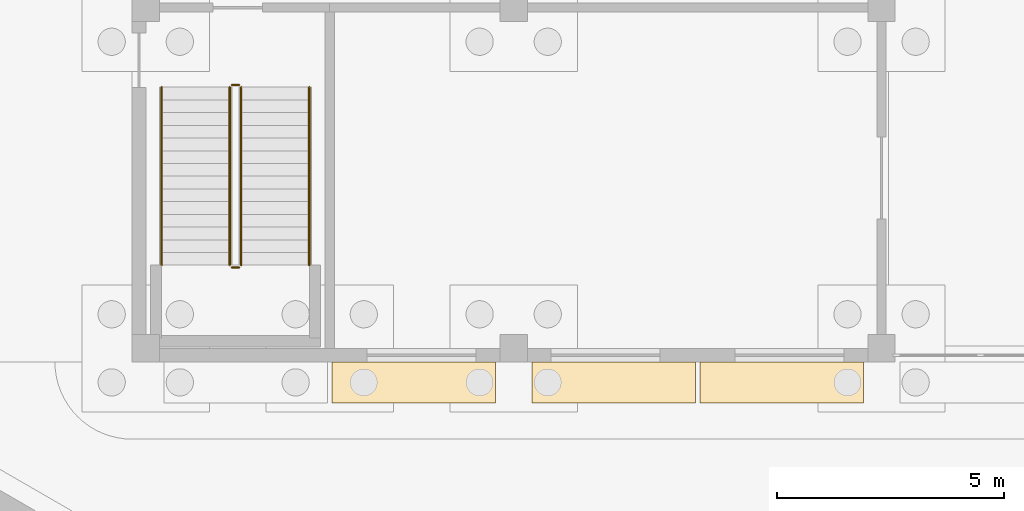
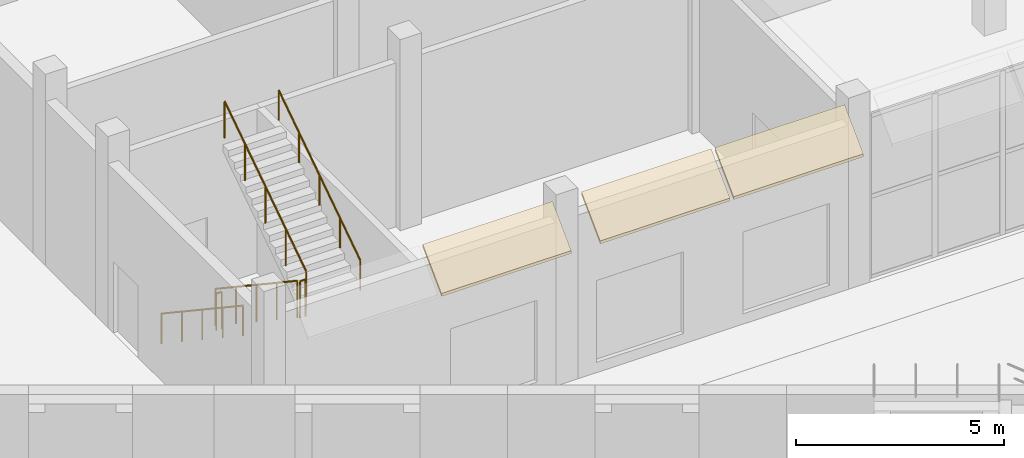
# One storey, part 36 of 44: 6 railings, 3 coverings.
"""IFC4 building model written with IfcOpenShell, lengths in metres."""

from ifc_helpers import new_model, si_unit, direction, frame, origin, origin_2d, place, context, subcontext, project, spatial, polyline, circle, outline, extrude, material, layer, layer_set, type_object, element, save


model = new_model("IFC4")

# Units and contexts
model_context = context("Model", 3, precision=1e-05, world=origin(), true_north=direction((0.0, 1.0)))
body_context = subcontext(model_context, "Body", "Model", "MODEL_VIEW")
ifc_project = project(units=[si_unit("LENGTHUNIT", "METRE"), si_unit("AREAUNIT", "SQUARE_METRE"), si_unit("VOLUMEUNIT", "CUBIC_METRE"), si_unit("PLANEANGLEUNIT", "RADIAN"), si_unit("MASSUNIT", "GRAM", prefix="KILO")], contexts=[model_context])

# Site, building, storey
site_placement = place(None, origin())
site = spatial("IfcSite", under=ifc_project, at=site_placement, CompositionType="ELEMENT")
building_placement = place(site_placement, origin())
building = spatial("IfcBuilding", under=site, at=building_placement, Name="Frailejon Research Tower", CompositionType="ELEMENT")
storey_placement = place(building_placement, origin())
storey = spatial("IfcBuildingStorey", under=building, at=storey_placement, Name="L00", CompositionType="ELEMENT", Elevation=0.0)

# Railings
ifc_material_1 = material(Name="Galvanised steel balustrade", Category="steel")
railing_type_1 = type_object("IfcRailingType", Name="HC stair guard 1100", PredefinedType="GUARDRAIL", material=ifc_material_1)
railing_1_placement = place(storey_placement, frame((46.35009765625, -14.5, 0.186767578125)))
element("IfcRailing", 1, at=railing_1_placement, inside=storey, type_object=railing_type_1, Name="L00 HS-A stair guard 1", PredefinedType="GUARDRAIL", context=body_context, shape_type="SweptSolid", body=[
    extrude(circle(Radius=0.02392578125, at=origin_2d()), frame((0.0, 0.0, 1.076171875), z_axis=(0.0, -0.832050294338, 0.554700196225), x_axis=(1.0, 0.0, 0.0)), (0.0, 0.0, 1.0), 4.711181640625),
    extrude(circle(Radius=0.02099609375, at=origin_2d()), origin(), (0.0, 0.0, 1.0), 1.052001953125),
    extrude(circle(Radius=0.02099609375, at=origin_2d()), frame((0.0, -0.97998046875, 0.6533203125)), (0.0, 0.0, 1.0), 1.052001953125),
    extrude(circle(Radius=0.02099609375, at=origin_2d()), frame((0.0, -1.9599609375, 1.306640625)), (0.0, 0.0, 1.0), 1.052001953125),
    extrude(circle(Radius=0.02099609375, at=origin_2d()), frame((0.0, -2.93994140625, 1.9599609375)), (0.0, 0.0, 1.0), 1.052001953125),
    extrude(circle(Radius=0.02099609375, at=origin_2d()), frame((0.0, -3.919921875, 2.61328125)), (0.0, 0.0, 1.0), 1.052001953125),
])
railing_2_placement = place(storey_placement, frame((46.39990234375, -18.469970703125, 2.800048828125)))
element("IfcRailing", 2, at=railing_2_placement, inside=storey, type_object=railing_type_1, Name="L00 HS-A stair guard 2", PredefinedType="GUARDRAIL", context=body_context, shape_type="SweptSolid", body=[
    extrude(circle(Radius=0.02392578125, at=origin_2d()), frame((0.0, 0.0, 1.076171875), z_axis=(1.0, 0.0, 0.0), x_axis=(0.0, 1.0, 0.0)), (0.0, 0.0, 1.0), 0.150146484375),
    extrude(circle(Radius=0.02099609375, at=origin_2d()), origin(), (0.0, 0.0, 1.0), 1.052001953125),
    extrude(circle(Radius=0.02099609375, at=origin_2d()), frame((0.150146484375, 0.0, 0.0)), (0.0, 0.0, 1.0), 1.052001953125),
])
railing_3_placement = place(storey_placement, frame((46.60009765625, -18.419921875, 2.986572265625)))
element("IfcRailing", 3, at=railing_3_placement, inside=storey, type_object=railing_type_1, Name="L00 HS-A stair guard 3", PredefinedType="GUARDRAIL", context=body_context, shape_type="SweptSolid", body=[
    extrude(circle(Radius=0.02392578125, at=origin_2d()), frame((0.0, 0.0, 1.076171875), z_axis=(0.0, 0.832026376513, 0.554736071286), x_axis=(-1.0, 0.0, 0.0)), (0.0, 0.0, 1.0), 4.711181640625),
    extrude(circle(Radius=0.02099609375, at=origin_2d()), origin(), (0.0, 0.0, 1.0), 1.052001953125),
    extrude(circle(Radius=0.02099609375, at=origin_2d()), frame((0.0, 0.97998046875, 0.6533203125)), (0.0, 0.0, 1.0), 1.052001953125),
    extrude(circle(Radius=0.02099609375, at=origin_2d()), frame((0.0, 1.9599609375, 1.306640625)), (0.0, 0.0, 1.0), 1.052001953125),
    extrude(circle(Radius=0.02099609375, at=origin_2d()), frame((0.0, 2.93994140625, 1.960205078125)), (0.0, 0.0, 1.0), 1.052001953125),
    extrude(circle(Radius=0.02099609375, at=origin_2d()), frame((0.0, 3.919921875, 2.613525390625)), (0.0, 0.0, 1.0), 1.052001953125),
])
railing_4_placement = place(storey_placement, frame((46.39990234375, -14.449951171875, 0.0)))
element("IfcRailing", 4, at=railing_4_placement, inside=storey, type_object=railing_type_1, Name="L00 HS-A stair guard 4", PredefinedType="GUARDRAIL", context=body_context, shape_type="SweptSolid", body=[
    extrude(circle(Radius=0.02392578125, at=origin_2d()), frame((0.0, 0.0, 1.076171875), z_axis=(1.0, 0.0, 0.0), x_axis=(0.0, 1.0, 0.0)), (0.0, 0.0, 1.0), 0.150146484375),
    extrude(circle(Radius=0.02099609375, at=origin_2d()), origin(), (0.0, 0.0, 1.0), 1.052001953125),
    extrude(circle(Radius=0.02099609375, at=origin_2d()), frame((0.150146484375, 0.0, 0.0)), (0.0, 0.0, 1.0), 1.052001953125),
])
ifc_material_2 = material(Name="Stainless steel handrail", Category="steel")
railing_type_2 = type_object("IfcRailingType", Name="HC stair handrail", PredefinedType="HANDRAIL", material=ifc_material_2)
railing_5_placement = place(storey_placement, frame((44.85009765625, -14.5, 0.186767578125)))
element("IfcRailing", 5, at=railing_5_placement, inside=storey, type_object=railing_type_2, Name="L00 HS-A stair handrail 1", PredefinedType="HANDRAIL", context=body_context, shape_type="SweptSolid", body=[
    extrude(circle(Radius=0.02392578125, at=origin_2d()), frame((0.0, 0.0, 0.8759765625), z_axis=(0.0, -0.832050294338, 0.554700196225), x_axis=(1.0, 0.0, 0.0)), (0.0, 0.0, 1.0), 4.711181640625),
    extrude(circle(Radius=0.02099609375, at=origin_2d()), origin(), (0.0, 0.0, 1.0), 0.851806640625),
    extrude(circle(Radius=0.02099609375, at=origin_2d()), frame((0.0, -0.97998046875, 0.6533203125)), (0.0, 0.0, 1.0), 0.851806640625),
    extrude(circle(Radius=0.02099609375, at=origin_2d()), frame((0.0, -1.9599609375, 1.306640625)), (0.0, 0.0, 1.0), 0.851806640625),
    extrude(circle(Radius=0.02099609375, at=origin_2d()), frame((0.0, -2.93994140625, 1.9599609375)), (0.0, 0.0, 1.0), 0.851806640625),
    extrude(circle(Radius=0.02099609375, at=origin_2d()), frame((0.0, -3.919921875, 2.61328125)), (0.0, 0.0, 1.0), 0.851806640625),
])
railing_6_placement = place(storey_placement, frame((48.10009765625, -18.419921875, 2.986572265625)))
element("IfcRailing", 6, at=railing_6_placement, inside=storey, type_object=railing_type_2, Name="L00 HS-A stair handrail 2", PredefinedType="HANDRAIL", context=body_context, shape_type="SweptSolid", body=[
    extrude(circle(Radius=0.02392578125, at=origin_2d()), frame((0.0, 0.0, 0.8759765625), z_axis=(0.0, 0.832026376513, 0.554736071286), x_axis=(-1.0, 0.0, 0.0)), (0.0, 0.0, 1.0), 4.711181640625),
    extrude(circle(Radius=0.02099609375, at=origin_2d()), origin(), (0.0, 0.0, 1.0), 0.851806640625),
    extrude(circle(Radius=0.02099609375, at=origin_2d()), frame((0.0, 0.97998046875, 0.6533203125)), (0.0, 0.0, 1.0), 0.851806640625),
    extrude(circle(Radius=0.02099609375, at=origin_2d()), frame((0.0, 1.9599609375, 1.306640625)), (0.0, 0.0, 1.0), 0.851806640625),
    extrude(circle(Radius=0.02099609375, at=origin_2d()), frame((0.0, 2.93994140625, 1.960205078125)), (0.0, 0.0, 1.0), 0.851806640625),
    extrude(circle(Radius=0.02099609375, at=origin_2d()), frame((0.0, 3.919921875, 2.613525390625)), (0.0, 0.0, 1.0), 0.851806640625),
])

# Coverings
ifc_material_3 = material(Name="Precast concrete C50/60", Category="concrete")
ifc_layer = layer(ifc_material_3, 0.06005859375)
ifc_layer_set = layer_set([ifc_layer], Name="HC visor depth 900")
covering_type = type_object("IfcCoveringType", Name="HC visor depth 900", PredefinedType="CLADDING", material=ifc_layer_set)
for number, where, z_axis, x_axis, name in (
    (7, (52.199951171875, -20.550048828125, 5.449951171875), (-1.0, 0.0, 0.0), (0.0, -1.0, 0.0), "HC visor L00"),
    (8, (56.60009765625, -20.550048828125, 5.449951171875), (-1.0, 0.0, 0.0), (0.0, -1.0, 0.0), "HC visor L00"),
    (9, (60.300048828125, -20.550048828125, 5.449951171875), (-1.0, 0.0, 0.0), (0.0, -1.0, 0.0), "HC visor L00"),
):
    element("IfcCovering", number, at=place(storey_placement, frame(where, z_axis=z_axis, x_axis=x_axis)), inside=storey, type_object=covering_type, Name=name, PredefinedType="CLADDING", context=body_context, shape_type="SweptSolid", body=[
        extrude(outline(polyline([(0.0, -0.0849609375), (0.89990234375, -0.98486328125), (0.89990234375, -0.89990234375), (0.0, 0.0), (0.0, -0.0849609375)])), origin(), (0.0, 0.0, 1.0), 3.60009765625),
    ])

save(model, "model.ifc")
